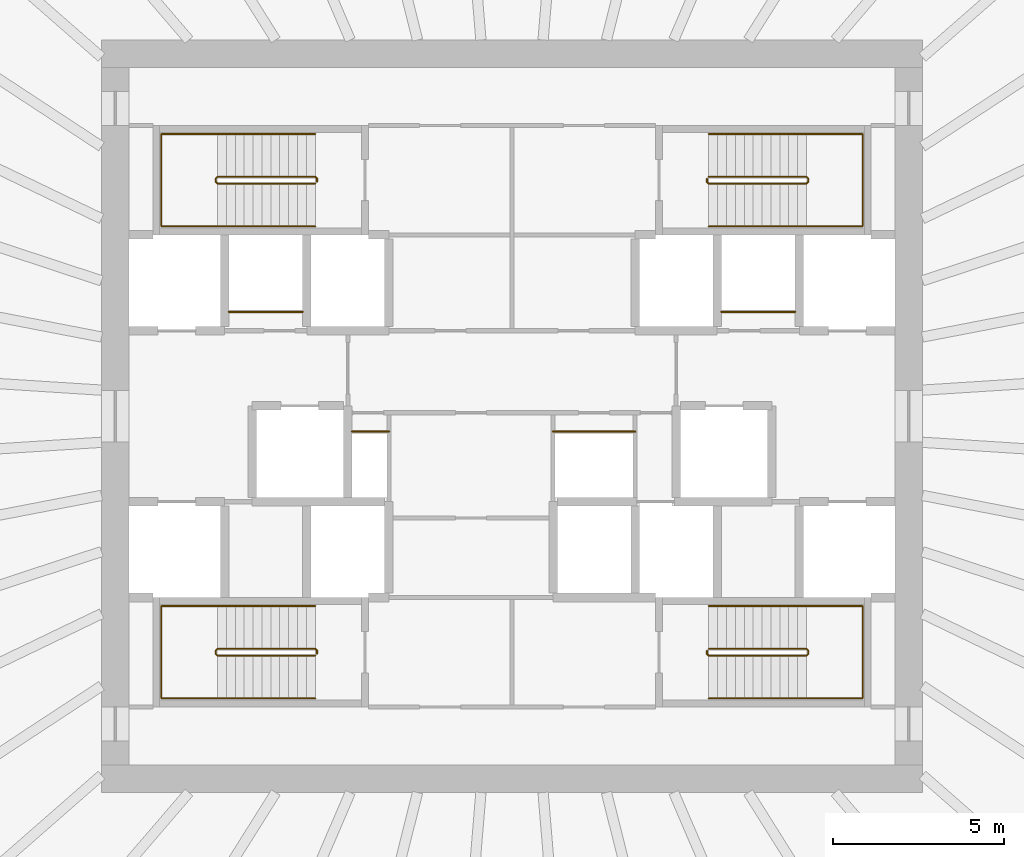
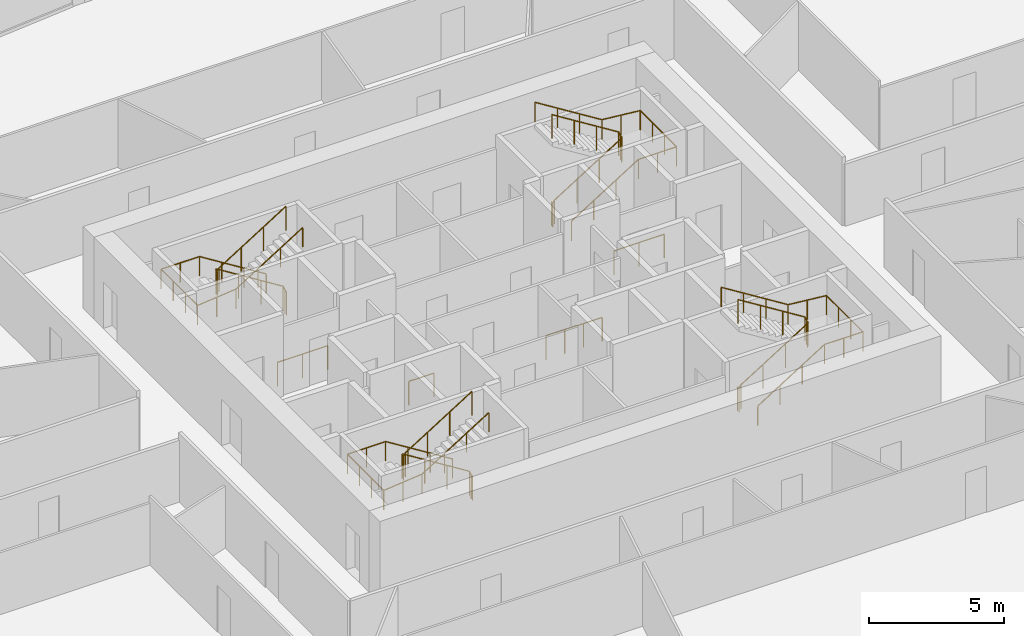
# One storey, part 10 of 10: 12 railings.
"""IFC4 building model written with IfcOpenShell, lengths in metres."""

from ifc_helpers import new_model, si_unit, direction, frame, origin, origin_2d, place, context, subcontext, project, spatial, circle, extrude, source, transform, mapped, material, type_object, element, save


model = new_model("IFC4")

# Units and contexts
model_context = context("Model", 3, precision=1e-05, world=origin(), true_north=direction((0.0, 1.0)))
body_context = subcontext(model_context, "Body", "Model", "MODEL_VIEW")
ifc_project = project(units=[si_unit("LENGTHUNIT", "METRE"), si_unit("AREAUNIT", "SQUARE_METRE"), si_unit("VOLUMEUNIT", "CUBIC_METRE"), si_unit("PLANEANGLEUNIT", "RADIAN"), si_unit("MASSUNIT", "GRAM", prefix="KILO")], contexts=[model_context])

# Site, building, storey
site_placement = place(None, origin())
site = spatial("IfcSite", under=ifc_project, at=site_placement, CompositionType="ELEMENT")
building_placement = place(site_placement, origin())
building = spatial("IfcBuilding", under=site, at=building_placement, Name="Embergate Tower", CompositionType="ELEMENT")
storey_placement = place(building_placement, frame((0.0, 0.0, 152.10009765625)))
storey = spatial("IfcBuildingStorey", under=building, at=storey_placement, Name="L33", CompositionType="ELEMENT", Elevation=152.10009765625)

# Railings
ifc_material_1 = material(Name="Stair handrail 900")
railing_type_1 = type_object("IfcRailingType", Name="Stair handrail 900", PredefinedType="HANDRAIL", material=ifc_material_1)
shared_shape_1 = source(origin(), body_context, "Body", "SweptSolid", [
    extrude(circle(Radius=0.02392578125, at=origin_2d()), frame((0.0, 0.0, 0.8759765625), z_axis=(-0.847994237388, 0.0, 0.530005446535), x_axis=(0.0, -1.0, 0.0)), (0.0, 0.0, 1.0), 3.372802734375),
    extrude(circle(Radius=0.02392578125, at=origin_2d()), frame((-2.860107421875, 0.0, 2.66357421875), z_axis=(-1.0, 0.0, 0.0), x_axis=(0.0, -1.0, 0.0)), (0.0, 0.0, 1.0), 1.639892578125),
    extrude(circle(Radius=0.02392578125, at=origin_2d()), frame((-4.5, 0.0, 2.66357421875), z_axis=(0.0, -1.0, 0.0), x_axis=(1.0, 0.0, 0.0)), (0.0, 0.0, 1.0), 2.699951171875),
    extrude(circle(Radius=0.02392578125, at=origin_2d()), frame((-4.5, -2.699951171875, 2.66357421875), z_axis=(0.995134983717, 0.0, 0.098520881967), x_axis=(0.0, 1.0, 0.0)), (0.0, 0.0, 1.0), 1.64794921875),
    extrude(circle(Radius=0.02392578125, at=origin_2d()), frame((-2.860107421875, -2.699951171875, 2.82568359375), z_axis=(0.847994237388, 0.0, 0.530005446535), x_axis=(0.0, 1.0, 0.0)), (0.0, 0.0, 1.0), 3.372802734375),
    extrude(circle(Radius=0.02099609375, at=origin_2d()), origin(), (0.0, 0.0, 1.0), 0.851806640625),
    extrude(circle(Radius=0.02099609375, at=origin_2d()), frame((-0.953369140625, 0.0, 0.595947265625)), (0.0, 0.0, 1.0), 0.851806640625),
    extrude(circle(Radius=0.02099609375, at=origin_2d()), frame((-1.90673828125, 0.0, 1.191650390625)), (0.0, 0.0, 1.0), 0.851806640625),
    extrude(circle(Radius=0.02099609375, at=origin_2d()), frame((-2.860107421875, 0.0, 1.78759765625)), (0.0, 0.0, 1.0), 0.851806640625),
    extrude(circle(Radius=0.02099609375, at=origin_2d()), frame((-3.68017578125, 0.0, 1.78759765625)), (0.0, 0.0, 1.0), 0.851806640625),
    extrude(circle(Radius=0.02099609375, at=origin_2d()), frame((-4.5, 0.0, 1.78759765625)), (0.0, 0.0, 1.0), 0.851806640625),
    extrude(circle(Radius=0.02099609375, at=origin_2d()), frame((-4.5, -0.89990234375, 1.78759765625)), (0.0, 0.0, 1.0), 0.851806640625),
    extrude(circle(Radius=0.02099609375, at=origin_2d()), frame((-4.5, -1.800048828125, 1.78759765625)), (0.0, 0.0, 1.0), 0.851806640625),
    extrude(circle(Radius=0.02099609375, at=origin_2d()), frame((-4.5, -2.699951171875, 1.78759765625)), (0.0, 0.0, 1.0), 0.851806640625),
    extrude(circle(Radius=0.02099609375, at=origin_2d()), frame((-3.68017578125, -2.699951171875, 1.86865234375)), (0.0, 0.0, 1.0), 0.851806640625),
    extrude(circle(Radius=0.02099609375, at=origin_2d()), frame((-2.860107421875, -2.699951171875, 1.949951171875)), (0.0, 0.0, 1.0), 0.851806640625),
    extrude(circle(Radius=0.02099609375, at=origin_2d()), frame((-1.90673828125, -2.699951171875, 2.5458984375)), (0.0, 0.0, 1.0), 0.851806640625),
    extrude(circle(Radius=0.02099609375, at=origin_2d()), frame((-0.953369140625, -2.699951171875, 3.1416015625)), (0.0, 0.0, 1.0), 0.851806640625),
    extrude(circle(Radius=0.02099609375, at=origin_2d()), frame((0.0, -2.699951171875, 3.737548828125)), (0.0, 0.0, 1.0), 0.851806640625),
])
for number, where, name in (
    (1, (-5.75, 8.25, 0.162353515625), "L33 ST1 stair handrail 1"),
    (2, (-5.75, -5.550048828125, 0.162353515625), "L33 ST3 stair handrail 1"),
):
    element("IfcRailing", number, at=place(storey_placement, frame(where)), inside=storey, type_object=railing_type_1, Name=name, PredefinedType="HANDRAIL", context=body_context, shape_type="MappedRepresentation", body=[
        mapped(shared_shape_1, transform((0.0, 0.0, 0.0))),
    ])
ifc_material_2 = material(Name="Stair guard 1100")
railing_type_2 = type_object("IfcRailingType", Name="Stair guard 1100", PredefinedType="GUARDRAIL", material=ifc_material_2)
shared_shape_2 = source(origin(), body_context, "Body", "SweptSolid", [
    extrude(circle(Radius=0.02392578125, at=origin_2d()), frame((0.0, 0.0, 1.076171875), z_axis=(0.0, 1.0, 0.0), x_axis=(-1.0, 0.0, 0.0)), (0.0, 0.0, 1.0), 0.099853515625),
    extrude(circle(Radius=0.02392578125, at=origin_2d()), frame((0.0, 0.099853515625, 1.076171875), z_axis=(-0.282583949758, 0.282583949758, 0.916674763849), x_axis=(-0.707106781187, -0.707106781187, 0.0)), (0.0, 0.0, 1.0), 0.177001953125),
    extrude(circle(Radius=0.02392578125, at=origin_2d()), frame((-0.050048828125, 0.14990234375, 1.23828125), z_axis=(-0.847994237388, 0.0, 0.530005446535), x_axis=(0.0, -1.0, 0.0)), (0.0, 0.0, 1.0), 3.372802734375),
    extrude(circle(Radius=0.02392578125, at=origin_2d()), frame((-2.91015625, 0.14990234375, 3.02587890625), z_axis=(-0.705375805398, -0.708833529934, 0.0), x_axis=(0.708833529934, -0.705375805398, 0.0)), (0.0, 0.0, 1.0), 0.070556640625),
    extrude(circle(Radius=0.02392578125, at=origin_2d()), frame((-2.9599609375, 0.099853515625, 3.02587890625), z_axis=(0.0, -1.0, 0.0), x_axis=(1.0, 0.0, 0.0)), (0.0, 0.0, 1.0), 0.099853515625),
    extrude(circle(Radius=0.02392578125, at=origin_2d()), frame((-2.9599609375, 0.0, 3.02587890625), z_axis=(0.281314826061, -0.282693820306, 0.917031173188), x_axis=(0.708833529934, 0.705375805398, 0.0)), (0.0, 0.0, 1.0), 0.177001953125),
    extrude(circle(Radius=0.02392578125, at=origin_2d()), frame((-2.91015625, -0.050048828125, 3.1884765625), z_axis=(0.847994237388, 0.0, 0.530005446535), x_axis=(0.0, 1.0, 0.0)), (0.0, 0.0, 1.0), 3.372802734375),
    extrude(circle(Radius=0.02099609375, at=origin_2d()), origin(), (0.0, 0.0, 1.0), 1.052001953125),
    extrude(circle(Radius=0.02099609375, at=origin_2d()), frame((0.0, 0.099853515625, 0.0)), (0.0, 0.0, 1.0), 1.052001953125),
    extrude(circle(Radius=0.02099609375, at=origin_2d()), frame((-0.050048828125, 0.14990234375, 0.162353515625)), (0.0, 0.0, 1.0), 1.052001953125),
    extrude(circle(Radius=0.02099609375, at=origin_2d()), frame((-1.00341796875, 0.14990234375, 0.75830078125)), (0.0, 0.0, 1.0), 1.052001953125),
    extrude(circle(Radius=0.02099609375, at=origin_2d()), frame((-1.956787109375, 0.14990234375, 1.35400390625)), (0.0, 0.0, 1.0), 1.052001953125),
    extrude(circle(Radius=0.02099609375, at=origin_2d()), frame((-2.91015625, 0.14990234375, 1.949951171875)), (0.0, 0.0, 1.0), 1.052001953125),
    extrude(circle(Radius=0.02099609375, at=origin_2d()), frame((-2.9599609375, 0.099853515625, 1.949951171875)), (0.0, 0.0, 1.0), 1.052001953125),
    extrude(circle(Radius=0.02099609375, at=origin_2d()), frame((-2.9599609375, 0.0, 1.949951171875)), (0.0, 0.0, 1.0), 1.052001953125),
    extrude(circle(Radius=0.02099609375, at=origin_2d()), frame((-2.91015625, -0.050048828125, 2.1123046875)), (0.0, 0.0, 1.0), 1.052001953125),
    extrude(circle(Radius=0.02099609375, at=origin_2d()), frame((-1.956787109375, -0.050048828125, 2.708251953125)), (0.0, 0.0, 1.0), 1.052001953125),
    extrude(circle(Radius=0.02099609375, at=origin_2d()), frame((-1.00341796875, -0.050048828125, 3.303955078125)), (0.0, 0.0, 1.0), 1.052001953125),
    extrude(circle(Radius=0.02099609375, at=origin_2d()), frame((-0.050048828125, -0.050048828125, 3.89990234375)), (0.0, 0.0, 1.0), 1.052001953125),
])
for number, where, name in (
    (3, (-5.699951171875, 6.85009765625, 0.0), "L33 ST1 stair guard 1"),
    (4, (-5.699951171875, -6.949951171875, 0.0), "L33 ST3 stair guard 1"),
):
    element("IfcRailing", number, at=place(storey_placement, frame(where)), inside=storey, type_object=railing_type_2, Name=name, PredefinedType="GUARDRAIL", context=body_context, shape_type="MappedRepresentation", body=[
        mapped(shared_shape_2, transform((0.0, 0.0, 0.0))),
    ])
shared_shape_3 = source(origin(), body_context, "Body", "SweptSolid", [
    extrude(circle(Radius=0.02392578125, at=origin_2d()), frame((0.0, 0.0, 0.8759765625), z_axis=(0.847994237388, 0.0, 0.530005446535), x_axis=(0.0, 1.0, 0.0)), (0.0, 0.0, 1.0), 3.372802734375),
    extrude(circle(Radius=0.02392578125, at=origin_2d()), frame((2.860107421875, 0.0, 2.66357421875), z_axis=(1.0, 0.0, 0.0), x_axis=(0.0, 1.0, 0.0)), (0.0, 0.0, 1.0), 1.639892578125),
    extrude(circle(Radius=0.02392578125, at=origin_2d()), frame((4.5, 0.0, 2.66357421875), z_axis=(0.0, 1.0, 0.0), x_axis=(-1.0, 0.0, 0.0)), (0.0, 0.0, 1.0), 2.699951171875),
    extrude(circle(Radius=0.02392578125, at=origin_2d()), frame((4.5, 2.699951171875, 2.66357421875), z_axis=(-0.995134983717, 0.0, 0.098520881967), x_axis=(0.0, -1.0, 0.0)), (0.0, 0.0, 1.0), 1.64794921875),
    extrude(circle(Radius=0.02392578125, at=origin_2d()), frame((2.860107421875, 2.699951171875, 2.82568359375), z_axis=(-0.847994237388, 0.0, 0.530005446535), x_axis=(0.0, -1.0, 0.0)), (0.0, 0.0, 1.0), 3.372802734375),
    extrude(circle(Radius=0.02099609375, at=origin_2d()), origin(), (0.0, 0.0, 1.0), 0.851806640625),
    extrude(circle(Radius=0.02099609375, at=origin_2d()), frame((0.953369140625, 0.0, 0.595947265625)), (0.0, 0.0, 1.0), 0.851806640625),
    extrude(circle(Radius=0.02099609375, at=origin_2d()), frame((1.90673828125, 0.0, 1.191650390625)), (0.0, 0.0, 1.0), 0.851806640625),
    extrude(circle(Radius=0.02099609375, at=origin_2d()), frame((2.860107421875, 0.0, 1.78759765625)), (0.0, 0.0, 1.0), 0.851806640625),
    extrude(circle(Radius=0.02099609375, at=origin_2d()), frame((3.68017578125, 0.0, 1.78759765625)), (0.0, 0.0, 1.0), 0.851806640625),
    extrude(circle(Radius=0.02099609375, at=origin_2d()), frame((4.5, 0.0, 1.78759765625)), (0.0, 0.0, 1.0), 0.851806640625),
    extrude(circle(Radius=0.02099609375, at=origin_2d()), frame((4.5, 0.89990234375, 1.78759765625)), (0.0, 0.0, 1.0), 0.851806640625),
    extrude(circle(Radius=0.02099609375, at=origin_2d()), frame((4.5, 1.800048828125, 1.78759765625)), (0.0, 0.0, 1.0), 0.851806640625),
    extrude(circle(Radius=0.02099609375, at=origin_2d()), frame((4.5, 2.699951171875, 1.78759765625)), (0.0, 0.0, 1.0), 0.851806640625),
    extrude(circle(Radius=0.02099609375, at=origin_2d()), frame((3.68017578125, 2.699951171875, 1.86865234375)), (0.0, 0.0, 1.0), 0.851806640625),
    extrude(circle(Radius=0.02099609375, at=origin_2d()), frame((2.860107421875, 2.699951171875, 1.949951171875)), (0.0, 0.0, 1.0), 0.851806640625),
    extrude(circle(Radius=0.02099609375, at=origin_2d()), frame((1.90673828125, 2.699951171875, 2.5458984375)), (0.0, 0.0, 1.0), 0.851806640625),
    extrude(circle(Radius=0.02099609375, at=origin_2d()), frame((0.953369140625, 2.699951171875, 3.1416015625)), (0.0, 0.0, 1.0), 0.851806640625),
    extrude(circle(Radius=0.02099609375, at=origin_2d()), frame((0.0, 2.699951171875, 3.737548828125)), (0.0, 0.0, 1.0), 0.851806640625),
])
for number, where, name in (
    (5, (5.75, 5.550048828125, 0.162353515625), "L33 ST2 stair handrail 1"),
    (6, (5.75, -8.25, 0.162353515625), "L33 ST4 stair handrail 1"),
):
    element("IfcRailing", number, at=place(storey_placement, frame(where)), inside=storey, type_object=railing_type_1, Name=name, PredefinedType="HANDRAIL", context=body_context, shape_type="MappedRepresentation", body=[
        mapped(shared_shape_3, transform((0.0, 0.0, 0.0))),
    ])
shared_shape_4 = source(origin(), body_context, "Body", "SweptSolid", [
    extrude(circle(Radius=0.02392578125, at=origin_2d()), frame((0.0, 0.0, 1.076171875), z_axis=(0.0, -1.0, 0.0), x_axis=(1.0, 0.0, 0.0)), (0.0, 0.0, 1.0), 0.099853515625),
    extrude(circle(Radius=0.02392578125, at=origin_2d()), frame((0.0, -0.099853515625, 1.076171875), z_axis=(0.282583949758, -0.282583949758, 0.916674763849), x_axis=(0.707106781187, 0.707106781187, 0.0)), (0.0, 0.0, 1.0), 0.177001953125),
    extrude(circle(Radius=0.02392578125, at=origin_2d()), frame((0.050048828125, -0.14990234375, 1.23828125), z_axis=(0.847994237388, 0.0, 0.530005446535), x_axis=(0.0, 1.0, 0.0)), (0.0, 0.0, 1.0), 3.372802734375),
    extrude(circle(Radius=0.02392578125, at=origin_2d()), frame((2.91015625, -0.14990234375, 3.02587890625), z_axis=(0.705375805398, 0.708833529934, 0.0), x_axis=(-0.708833529934, 0.705375805398, 0.0)), (0.0, 0.0, 1.0), 0.070556640625),
    extrude(circle(Radius=0.02392578125, at=origin_2d()), frame((2.9599609375, -0.099853515625, 3.02587890625), z_axis=(0.0, 1.0, 0.0), x_axis=(-1.0, 0.0, 0.0)), (0.0, 0.0, 1.0), 0.099853515625),
    extrude(circle(Radius=0.02392578125, at=origin_2d()), frame((2.9599609375, 0.0, 3.02587890625), z_axis=(-0.281314826061, 0.282693820306, 0.917031173188), x_axis=(-0.708833529934, -0.705375805398, 0.0)), (0.0, 0.0, 1.0), 0.177001953125),
    extrude(circle(Radius=0.02392578125, at=origin_2d()), frame((2.91015625, 0.050048828125, 3.1884765625), z_axis=(-0.847994237388, 0.0, 0.530005446535), x_axis=(0.0, -1.0, 0.0)), (0.0, 0.0, 1.0), 3.372802734375),
    extrude(circle(Radius=0.02099609375, at=origin_2d()), origin(), (0.0, 0.0, 1.0), 1.052001953125),
    extrude(circle(Radius=0.02099609375, at=origin_2d()), frame((0.0, -0.099853515625, 0.0)), (0.0, 0.0, 1.0), 1.052001953125),
    extrude(circle(Radius=0.02099609375, at=origin_2d()), frame((0.050048828125, -0.14990234375, 0.162353515625)), (0.0, 0.0, 1.0), 1.052001953125),
    extrude(circle(Radius=0.02099609375, at=origin_2d()), frame((1.00341796875, -0.14990234375, 0.75830078125)), (0.0, 0.0, 1.0), 1.052001953125),
    extrude(circle(Radius=0.02099609375, at=origin_2d()), frame((1.956787109375, -0.14990234375, 1.35400390625)), (0.0, 0.0, 1.0), 1.052001953125),
    extrude(circle(Radius=0.02099609375, at=origin_2d()), frame((2.91015625, -0.14990234375, 1.949951171875)), (0.0, 0.0, 1.0), 1.052001953125),
    extrude(circle(Radius=0.02099609375, at=origin_2d()), frame((2.9599609375, -0.099853515625, 1.949951171875)), (0.0, 0.0, 1.0), 1.052001953125),
    extrude(circle(Radius=0.02099609375, at=origin_2d()), frame((2.9599609375, 0.0, 1.949951171875)), (0.0, 0.0, 1.0), 1.052001953125),
    extrude(circle(Radius=0.02099609375, at=origin_2d()), frame((2.91015625, 0.050048828125, 2.1123046875)), (0.0, 0.0, 1.0), 1.052001953125),
    extrude(circle(Radius=0.02099609375, at=origin_2d()), frame((1.956787109375, 0.050048828125, 2.708251953125)), (0.0, 0.0, 1.0), 1.052001953125),
    extrude(circle(Radius=0.02099609375, at=origin_2d()), frame((1.00341796875, 0.050048828125, 3.303955078125)), (0.0, 0.0, 1.0), 1.052001953125),
    extrude(circle(Radius=0.02099609375, at=origin_2d()), frame((0.050048828125, 0.050048828125, 3.89990234375)), (0.0, 0.0, 1.0), 1.052001953125),
])
for number, where, name in (
    (7, (5.699951171875, 6.949951171875, 0.0), "L33 ST2 stair guard 1"),
    (8, (5.699951171875, -6.85009765625, 0.0), "L33 ST4 stair guard 1"),
):
    element("IfcRailing", number, at=place(storey_placement, frame(where)), inside=storey, type_object=railing_type_2, Name=name, PredefinedType="GUARDRAIL", context=body_context, shape_type="MappedRepresentation", body=[
        mapped(shared_shape_4, transform((0.0, 0.0, 0.0))),
    ])
ifc_material_3 = material(Name="Opening guard 1100")
railing_type_3 = type_object("IfcRailingType", Name="Opening guard 1100", PredefinedType="GUARDRAIL", material=ifc_material_3)
shared_shape_5 = source(origin(), body_context, "Body", "SweptSolid", [
    extrude(circle(Radius=0.02392578125, at=origin_2d()), frame((0.0, 0.0, 1.076171875), z_axis=(1.0, 0.0, 0.0), x_axis=(0.0, 1.0, 0.0)), (0.0, 0.0, 1.0), 2.14990234375),
    extrude(circle(Radius=0.02099609375, at=origin_2d()), origin(), (0.0, 0.0, 1.0), 1.052001953125),
    extrude(circle(Radius=0.02099609375, at=origin_2d()), frame((1.074951171875, 0.0, 0.0)), (0.0, 0.0, 1.0), 1.052001953125),
    extrude(circle(Radius=0.02099609375, at=origin_2d()), frame((2.14990234375, 0.0, 0.0)), (0.0, 0.0, 1.0), 1.052001953125),
])
for number, where, name in (
    (9, (-8.27490234375, 3.050048828125, 0.0), "Riser opening guard"),
    (10, (6.125, 3.050048828125, 0.0), "Riser opening guard"),
):
    element("IfcRailing", number, at=place(storey_placement, frame(where)), inside=storey, type_object=railing_type_3, Name=name, PredefinedType="GUARDRAIL", context=body_context, shape_type="MappedRepresentation", body=[
        mapped(shared_shape_5, transform((0.0, 0.0, 0.0))),
    ])
shared_shape_6 = source(origin(), body_context, "Body", "SweptSolid", [
    extrude(circle(Radius=0.02392578125, at=origin_2d()), frame((0.0, 0.0, 1.076171875), z_axis=(1.0, 0.0, 0.0), x_axis=(0.0, 1.0, 0.0)), (0.0, 0.0, 1.0), 1.074951171875),
    extrude(circle(Radius=0.02099609375, at=origin_2d()), origin(), (0.0, 0.0, 1.0), 1.052001953125),
    extrude(circle(Radius=0.02099609375, at=origin_2d()), frame((1.074951171875, 0.0, 0.0)), (0.0, 0.0, 1.0), 1.052001953125),
])
railing_1_placement = place(storey_placement, frame((-4.675048828125, -0.449951171875, 0.0)))
element("IfcRailing", 11, at=railing_1_placement, inside=storey, type_object=railing_type_3, Name="Riser opening guard", PredefinedType="GUARDRAIL", context=body_context, shape_type="MappedRepresentation", body=[
    mapped(shared_shape_6, transform((0.0, 0.0, 0.0))),
])
shared_shape_7 = source(origin(), body_context, "Body", "SweptSolid", [
    extrude(circle(Radius=0.02392578125, at=origin_2d()), frame((0.0, 0.0, 1.076171875), z_axis=(1.0, 0.0, 0.0), x_axis=(0.0, 1.0, 0.0)), (0.0, 0.0, 1.0), 2.400146484375),
    extrude(circle(Radius=0.02099609375, at=origin_2d()), origin(), (0.0, 0.0, 1.0), 1.052001953125),
    extrude(circle(Radius=0.02099609375, at=origin_2d()), frame((0.800048828125, 0.0, 0.0)), (0.0, 0.0, 1.0), 1.052001953125),
    extrude(circle(Radius=0.02099609375, at=origin_2d()), frame((1.60009765625, 0.0, 0.0)), (0.0, 0.0, 1.0), 1.052001953125),
    extrude(circle(Radius=0.02099609375, at=origin_2d()), frame((2.400146484375, 0.0, 0.0)), (0.0, 0.0, 1.0), 1.052001953125),
])
railing_2_placement = place(storey_placement, frame((1.199951171875, -0.449951171875, 0.0)))
element("IfcRailing", 12, at=railing_2_placement, inside=storey, type_object=railing_type_3, Name="Riser opening guard", PredefinedType="GUARDRAIL", context=body_context, shape_type="MappedRepresentation", body=[
    mapped(shared_shape_7, transform((0.0, 0.0, 0.0))),
])

save(model, "model.ifc")
